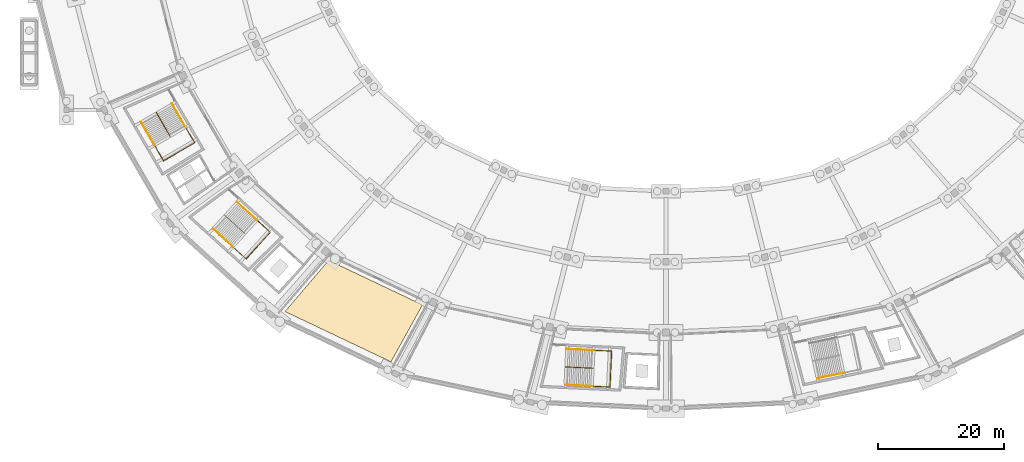
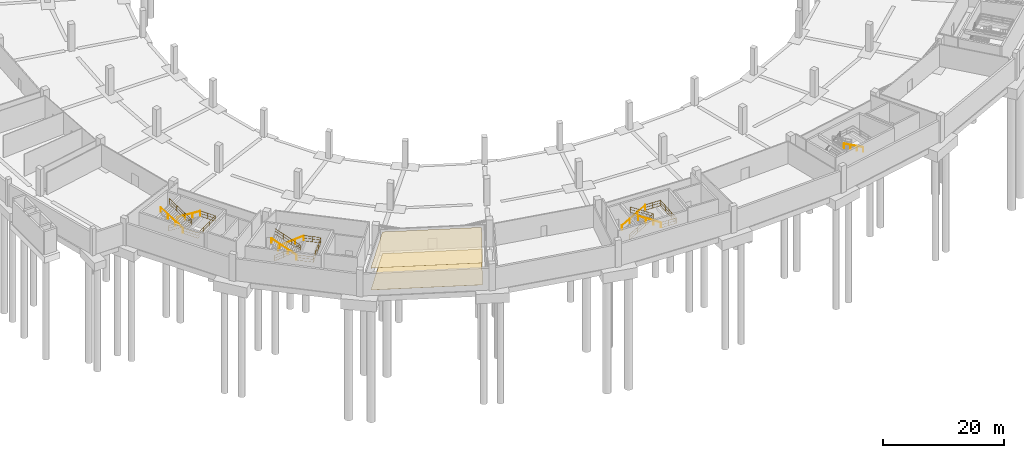
# One storey, part 43 of 49: 13 railings, 2 coverings.
"""IFC4 building model written with IfcOpenShell, lengths in metres."""

from ifc_helpers import new_model, si_unit, direction, frame, origin, origin_2d, place, context, subcontext, project, spatial, polyline, rectangle, outline, extrude, material, layer, layer_set, type_object, element, save


model = new_model("IFC4")

# Units and contexts
model_context = context("Model", 3, precision=1e-05, world=origin(), true_north=direction((0.0, 1.0)))
body_context = subcontext(model_context, "Body", "Model", "MODEL_VIEW")
ifc_project = project(units=[si_unit("LENGTHUNIT", "METRE"), si_unit("AREAUNIT", "SQUARE_METRE"), si_unit("VOLUMEUNIT", "CUBIC_METRE"), si_unit("PLANEANGLEUNIT", "RADIAN"), si_unit("MASSUNIT", "GRAM", prefix="KILO")], contexts=[model_context])

# Site, building, storey
site_placement = place(None, origin())
site = spatial("IfcSite", under=ifc_project, at=site_placement, CompositionType="ELEMENT")
building_placement = place(site_placement, origin())
building = spatial("IfcBuilding", under=site, at=building_placement, Name="Kazemori Nagisa Stadium", CompositionType="ELEMENT")
storey_placement = place(building_placement, frame((0.0, 0.0, -5.43994140625)))
storey = spatial("IfcBuildingStorey", under=building, at=storey_placement, Name="B1", CompositionType="ELEMENT", Elevation=-5.43994140625)

# Coverings
ifc_material_1 = material(Name="Mineral-fibre acoustic board", Category="gypsum")
ifc_layer_1 = layer(ifc_material_1, 0.02001953125, Name="Mineral-fibre acoustic board", Category="gypsum")
ifc_layer_set_1 = layer_set([ifc_layer_1], Name="Mineral-fibre acoustic board")
covering_type_1 = type_object("IfcCoveringType", Name="Cov_CEIL", PredefinedType="CEILING", material=ifc_layer_set_1)
covering_1_placement = place(storey_placement, frame((0.0, 0.0, 4.409912109375)))
element("IfcCovering", 1, at=covering_1_placement, inside=storey, type_object=covering_type_1, Name="Acoustic ceiling B1-B19", PredefinedType="CEILING", context=body_context, shape_type="SweptSolid", body=[
    extrude(outline(polyline([(69.622802734375, 39.46240234375), (84.466064453125, 32.4091796875), (79.47265625, 23.39111328125), (62.705810546875, 31.3583984375), (69.622802734375, 39.46240234375)])), origin(), (0.0, 0.0, 1.0), 0.02001953125),
])
ifc_material_2 = material(Name="Porcelain stoneware tile", Category="masonry")
ifc_layer_2 = layer(ifc_material_2, 0.02490234375, Name="Porcelain stoneware tile", Category="masonry")
ifc_layer_set_2 = layer_set([ifc_layer_2], Name="Porcelain stoneware tile")
covering_type_2 = type_object("IfcCoveringType", Name="Cov_FLOOR", PredefinedType="FLOORING", material=ifc_layer_set_2)
covering_2_placement = place(storey_placement, origin())
element("IfcCovering", 2, at=covering_2_placement, inside=storey, type_object=covering_type_2, Name="Porcelain floor finish B1-B19", PredefinedType="FLOORING", context=body_context, shape_type="SweptSolid", body=[
    extrude(outline(polyline([(69.622802734375, 39.46240234375), (84.466064453125, 32.4091796875), (79.47265625, 23.39111328125), (62.705810546875, 31.3583984375), (69.622802734375, 39.46240234375)])), origin(), (0.0, 0.0, 1.0), 0.02490234375),
])

# Railings
ifc_material_3 = material(Name="Galvanised powder-coated steel", Category="steel")
railing_type_1 = type_object("IfcRailingType", Name="Rail_GUARD", PredefinedType="GUARDRAIL", material=ifc_material_3)
railing_1_placement = place(storey_placement, frame((42.35302734375, 62.835693359375, 0.0)))
element("IfcRailing", 3, at=railing_1_placement, inside=storey, type_object=railing_type_1, Name="Stair central guard ST09-B1", PredefinedType="GUARDRAIL", context=body_context, shape_type="SweptSolid", body=[
    extrude(rectangle(XDim=0.050048828125, YDim=0.050048828125, at=origin_2d()), frame((0.0, 0.0, 1.09521484375), z_axis=(0.424604455669, -0.732330394732, 0.532356317872), x_axis=(0.865106633618, 0.501587990756, 0.0)), (0.0, 0.0, 1.0), 5.109375),
    extrude(rectangle(XDim=0.03759765625, YDim=0.03759765625, at=origin_2d()), frame((0.0, 0.0, 0.58251953125), z_axis=(0.424604455669, -0.732330394732, 0.532356317872), x_axis=(0.865106633618, 0.501587990756, 0.0)), (0.0, 0.0, 1.0), 5.109375),
    extrude(rectangle(XDim=0.03759765625, YDim=0.03759765625, at=origin_2d()), frame((0.0, 0.0, 0.02490234375), z_axis=(0.424604455669, -0.732330394732, 0.532356317872), x_axis=(0.865106633618, 0.501587990756, 0.0)), (0.0, 0.0, 1.0), 5.109375),
    extrude(rectangle(XDim=0.050048828125, YDim=0.050048828125, at=origin_2d()), frame((2.16943359375, -3.74169921875, 3.81494140625), z_axis=(-0.42235583137, 0.728396745639, 0.53949395979), x_axis=(-0.865090089266, -0.501616524304, 0.0)), (0.0, 0.0, 1.0), 5.041748046875),
    extrude(rectangle(XDim=0.03759765625, YDim=0.03759765625, at=origin_2d()), frame((2.16943359375, -3.74169921875, 3.302490234375), z_axis=(-0.42235583137, 0.728396745639, 0.53949395979), x_axis=(-0.865090089266, -0.501616524304, 0.0)), (0.0, 0.0, 1.0), 5.041748046875),
    extrude(rectangle(XDim=0.03759765625, YDim=0.03759765625, at=origin_2d()), frame((2.16943359375, -3.74169921875, 2.7451171875), z_axis=(-0.42235583137, 0.728396745639, 0.53949395979), x_axis=(-0.865090089266, -0.501616524304, 0.0)), (0.0, 0.0, 1.0), 5.041748046875),
    extrude(rectangle(XDim=0.044921875, YDim=0.044921875, at=origin_2d()), origin(), (0.0, 0.0, 1.0), 1.070068359375),
    extrude(rectangle(XDim=0.044921875, YDim=0.044921875, at=origin_2d()), frame((0.72314453125, -1.247314453125, 0.90673828125)), (0.0, 0.0, 1.0), 1.070068359375),
    extrude(rectangle(XDim=0.044921875, YDim=0.044921875, at=origin_2d()), frame((1.4462890625, -2.494384765625, 1.813232421875)), (0.0, 0.0, 1.0), 1.070068359375),
    extrude(rectangle(XDim=0.044921875, YDim=0.044921875, at=origin_2d()), frame((2.16943359375, -3.74169921875, 2.719970703125)), (0.0, 0.0, 1.0), 1.070068359375),
    extrude(rectangle(XDim=0.044921875, YDim=0.044921875, at=origin_2d()), frame((1.459716796875, -2.517578125, 3.626708984375)), (0.0, 0.0, 1.0), 1.070068359375),
    extrude(rectangle(XDim=0.044921875, YDim=0.044921875, at=origin_2d()), frame((0.749755859375, -1.29345703125, 4.533203125)), (0.0, 0.0, 1.0), 1.070068359375),
    extrude(rectangle(XDim=0.044921875, YDim=0.044921875, at=origin_2d()), frame((0.0400390625, -0.0693359375, 5.43994140625)), (0.0, 0.0, 1.0), 1.070068359375),
])
railing_2_placement = place(storey_placement, frame((46.988037109375, 60.523681640625, 2.719970703125)))
element("IfcRailing", 4, at=railing_2_placement, inside=storey, type_object=railing_type_1, Name="Stair landing guard ST09-B1", PredefinedType="GUARDRAIL", context=body_context, shape_type="SweptSolid", body=[
    extrude(rectangle(XDim=0.050048828125, YDim=0.050048828125, at=origin_2d()), frame((0.0, 0.0, 1.09521484375), z_axis=(0.501562958255, -0.865121146954, 0.0), x_axis=(0.865121146954, 0.501562958255, 0.0)), (0.0, 0.0, 1.0), 2.85009765625),
    extrude(rectangle(XDim=0.03759765625, YDim=0.03759765625, at=origin_2d()), frame((0.0, 0.0, 0.58251953125), z_axis=(0.501562958255, -0.865121146954, 0.0), x_axis=(0.865121146954, 0.501562958255, 0.0)), (0.0, 0.0, 1.0), 2.85009765625),
    extrude(rectangle(XDim=0.03759765625, YDim=0.03759765625, at=origin_2d()), frame((0.0, 0.0, 0.02490234375), z_axis=(0.501562958255, -0.865121146954, 0.0), x_axis=(0.865121146954, 0.501562958255, 0.0)), (0.0, 0.0, 1.0), 2.85009765625),
    extrude(rectangle(XDim=0.050048828125, YDim=0.050048828125, at=origin_2d()), frame((1.429443359375, -2.465576171875, 1.09521484375), z_axis=(-0.865091784601, -0.501613600508, 0.0), x_axis=(0.501613600508, -0.865091784601, 0.0)), (0.0, 0.0, 1.0), 5.699951171875),
    extrude(rectangle(XDim=0.03759765625, YDim=0.03759765625, at=origin_2d()), frame((1.429443359375, -2.465576171875, 0.58251953125), z_axis=(-0.865091784601, -0.501613600508, 0.0), x_axis=(0.501613600508, -0.865091784601, 0.0)), (0.0, 0.0, 1.0), 5.699951171875),
    extrude(rectangle(XDim=0.03759765625, YDim=0.03759765625, at=origin_2d()), frame((1.429443359375, -2.465576171875, 0.02490234375), z_axis=(-0.865091784601, -0.501613600508, 0.0), x_axis=(0.501613600508, -0.865091784601, 0.0)), (0.0, 0.0, 1.0), 5.699951171875),
    extrude(rectangle(XDim=0.050048828125, YDim=0.050048828125, at=origin_2d()), frame((-3.50146484375, -5.32470703125, 1.09521484375), z_axis=(-0.501627068055, 0.865083975458, 0.0), x_axis=(-0.865083975458, -0.501627068055, 0.0)), (0.0, 0.0, 1.0), 2.85009765625),
    extrude(rectangle(XDim=0.03759765625, YDim=0.03759765625, at=origin_2d()), frame((-3.50146484375, -5.32470703125, 0.58251953125), z_axis=(-0.501627068055, 0.865083975458, 0.0), x_axis=(-0.865083975458, -0.501627068055, 0.0)), (0.0, 0.0, 1.0), 2.85009765625),
    extrude(rectangle(XDim=0.03759765625, YDim=0.03759765625, at=origin_2d()), frame((-3.50146484375, -5.32470703125, 0.02490234375), z_axis=(-0.501627068055, 0.865083975458, 0.0), x_axis=(-0.865083975458, -0.501627068055, 0.0)), (0.0, 0.0, 1.0), 2.85009765625),
    extrude(rectangle(XDim=0.044921875, YDim=0.044921875, at=origin_2d()), origin(), (0.0, 0.0, 1.0), 1.070068359375),
    extrude(rectangle(XDim=0.044921875, YDim=0.044921875, at=origin_2d()), frame((0.71484375, -1.23291015625, 0.0)), (0.0, 0.0, 1.0), 1.070068359375),
    extrude(rectangle(XDim=0.044921875, YDim=0.044921875, at=origin_2d()), frame((1.429443359375, -2.465576171875, 0.0)), (0.0, 0.0, 1.0), 1.070068359375),
    extrude(rectangle(XDim=0.044921875, YDim=0.044921875, at=origin_2d()), frame((-0.214111328125, -3.418701171875, 0.0)), (0.0, 0.0, 1.0), 1.070068359375),
    extrude(rectangle(XDim=0.044921875, YDim=0.044921875, at=origin_2d()), frame((-1.85791015625, -4.37158203125, 0.0)), (0.0, 0.0, 1.0), 1.070068359375),
    extrude(rectangle(XDim=0.044921875, YDim=0.044921875, at=origin_2d()), frame((-3.50146484375, -5.32470703125, 0.0)), (0.0, 0.0, 1.0), 1.070068359375),
    extrude(rectangle(XDim=0.044921875, YDim=0.044921875, at=origin_2d()), frame((-4.21630859375, -4.091796875, 0.0)), (0.0, 0.0, 1.0), 1.070068359375),
    extrude(rectangle(XDim=0.044921875, YDim=0.044921875, at=origin_2d()), frame((-4.93115234375, -2.859130859375, 0.0)), (0.0, 0.0, 1.0), 1.070068359375),
])
railing_3_placement = place(storey_placement, frame((53.151611328125, 46.606689453125, 0.0)))
element("IfcRailing", 5, at=railing_3_placement, inside=storey, type_object=railing_type_1, Name="Stair central guard ST03-B1", PredefinedType="GUARDRAIL", context=body_context, shape_type="SweptSolid", body=[
    extrude(rectangle(XDim=0.050048828125, YDim=0.050048828125, at=origin_2d()), frame((0.0, 0.0, 1.09521484375), z_axis=(0.627557777508, -0.568113486393, 0.532370456043), x_axis=(0.67112318634, 0.741345849626, 0.0)), (0.0, 0.0, 1.0), 5.109130859375),
    extrude(rectangle(XDim=0.03759765625, YDim=0.03759765625, at=origin_2d()), frame((0.0, 0.0, 0.58251953125), z_axis=(0.627557777508, -0.568113486393, 0.532370456043), x_axis=(0.67112318634, 0.741345849626, 0.0)), (0.0, 0.0, 1.0), 5.109130859375),
    extrude(rectangle(XDim=0.03759765625, YDim=0.03759765625, at=origin_2d()), frame((0.0, 0.0, 0.02490234375), z_axis=(0.627557777508, -0.568113486393, 0.532370456043), x_axis=(0.67112318634, 0.741345849626, 0.0)), (0.0, 0.0, 1.0), 5.109130859375),
    extrude(rectangle(XDim=0.050048828125, YDim=0.050048828125, at=origin_2d()), frame((3.206298828125, -2.902587890625, 3.81494140625), z_axis=(-0.624200602078, 0.565073454279, 0.539504957933), x_axis=(-0.671122625547, -0.741346357298, 0.0)), (0.0, 0.0, 1.0), 5.04150390625),
    extrude(rectangle(XDim=0.03759765625, YDim=0.03759765625, at=origin_2d()), frame((3.206298828125, -2.902587890625, 3.302490234375), z_axis=(-0.624200602078, 0.565073454279, 0.539504957933), x_axis=(-0.671122625547, -0.741346357298, 0.0)), (0.0, 0.0, 1.0), 5.04150390625),
    extrude(rectangle(XDim=0.03759765625, YDim=0.03759765625, at=origin_2d()), frame((3.206298828125, -2.902587890625, 2.7451171875), z_axis=(-0.624200602078, 0.565073454279, 0.539504957933), x_axis=(-0.671122625547, -0.741346357298, 0.0)), (0.0, 0.0, 1.0), 5.04150390625),
    extrude(rectangle(XDim=0.044921875, YDim=0.044921875, at=origin_2d()), origin(), (0.0, 0.0, 1.0), 1.070068359375),
    extrude(rectangle(XDim=0.044921875, YDim=0.044921875, at=origin_2d()), frame((1.06884765625, -0.967529296875, 0.90673828125)), (0.0, 0.0, 1.0), 1.070068359375),
    extrude(rectangle(XDim=0.044921875, YDim=0.044921875, at=origin_2d()), frame((2.137451171875, -1.93505859375, 1.813232421875)), (0.0, 0.0, 1.0), 1.070068359375),
    extrude(rectangle(XDim=0.044921875, YDim=0.044921875, at=origin_2d()), frame((3.206298828125, -2.902587890625, 2.719970703125)), (0.0, 0.0, 1.0), 1.070068359375),
    extrude(rectangle(XDim=0.044921875, YDim=0.044921875, at=origin_2d()), frame((2.1572265625, -1.952880859375, 3.626708984375)), (0.0, 0.0, 1.0), 1.070068359375),
    extrude(rectangle(XDim=0.044921875, YDim=0.044921875, at=origin_2d()), frame((1.1083984375, -1.00341796875, 4.533203125)), (0.0, 0.0, 1.0), 1.070068359375),
    extrude(rectangle(XDim=0.044921875, YDim=0.044921875, at=origin_2d()), frame((0.059326171875, -0.0537109375, 5.43994140625)), (0.0, 0.0, 1.0), 1.070068359375),
])
railing_4_placement = place(storey_placement, frame((58.270751953125, 45.81689453125, 2.719970703125)))
element("IfcRailing", 6, at=railing_4_placement, inside=storey, type_object=railing_type_1, Name="Stair landing guard ST03-B1", PredefinedType="GUARDRAIL", context=body_context, shape_type="SweptSolid", body=[
    extrude(rectangle(XDim=0.050048828125, YDim=0.050048828125, at=origin_2d()), frame((0.0, 0.0, 1.09521484375), z_axis=(0.741314535645, -0.671157775223, 0.0), x_axis=(0.671157775223, 0.741314535645, 0.0)), (0.0, 0.0, 1.0), 2.85009765625),
    extrude(rectangle(XDim=0.03759765625, YDim=0.03759765625, at=origin_2d()), frame((0.0, 0.0, 0.58251953125), z_axis=(0.741314535645, -0.671157775223, 0.0), x_axis=(0.671157775223, 0.741314535645, 0.0)), (0.0, 0.0, 1.0), 2.85009765625),
    extrude(rectangle(XDim=0.03759765625, YDim=0.03759765625, at=origin_2d()), frame((0.0, 0.0, 0.02490234375), z_axis=(0.741314535645, -0.671157775223, 0.0), x_axis=(0.671157775223, 0.741314535645, 0.0)), (0.0, 0.0, 1.0), 2.85009765625),
    extrude(rectangle(XDim=0.050048828125, YDim=0.050048828125, at=origin_2d()), frame((2.11279296875, -1.912841796875, 1.09521484375), z_axis=(-0.67113423669, -0.74133584585, 0.0), x_axis=(0.74133584585, -0.67113423669, 0.0)), (0.0, 0.0, 1.0), 5.699951171875),
    extrude(rectangle(XDim=0.03759765625, YDim=0.03759765625, at=origin_2d()), frame((2.11279296875, -1.912841796875, 0.58251953125), z_axis=(-0.67113423669, -0.74133584585, 0.0), x_axis=(0.74133584585, -0.67113423669, 0.0)), (0.0, 0.0, 1.0), 5.699951171875),
    extrude(rectangle(XDim=0.03759765625, YDim=0.03759765625, at=origin_2d()), frame((2.11279296875, -1.912841796875, 0.02490234375), z_axis=(-0.67113423669, -0.74133584585, 0.0), x_axis=(0.74133584585, -0.67113423669, 0.0)), (0.0, 0.0, 1.0), 5.699951171875),
    extrude(rectangle(XDim=0.050048828125, YDim=0.050048828125, at=origin_2d()), frame((-1.712646484375, -6.138427734375, 1.09521484375), z_axis=(-0.741357156534, 0.671110696127, 0.0), x_axis=(-0.671110696127, -0.741357156534, 0.0)), (0.0, 0.0, 1.0), 2.849853515625),
    extrude(rectangle(XDim=0.03759765625, YDim=0.03759765625, at=origin_2d()), frame((-1.712646484375, -6.138427734375, 0.58251953125), z_axis=(-0.741357156534, 0.671110696127, 0.0), x_axis=(-0.671110696127, -0.741357156534, 0.0)), (0.0, 0.0, 1.0), 2.849853515625),
    extrude(rectangle(XDim=0.03759765625, YDim=0.03759765625, at=origin_2d()), frame((-1.712646484375, -6.138427734375, 0.02490234375), z_axis=(-0.741357156534, 0.671110696127, 0.0), x_axis=(-0.671110696127, -0.741357156534, 0.0)), (0.0, 0.0, 1.0), 2.849853515625),
    extrude(rectangle(XDim=0.044921875, YDim=0.044921875, at=origin_2d()), origin(), (0.0, 0.0, 1.0), 1.070068359375),
    extrude(rectangle(XDim=0.044921875, YDim=0.044921875, at=origin_2d()), frame((1.056396484375, -0.95654296875, 0.0)), (0.0, 0.0, 1.0), 1.070068359375),
    extrude(rectangle(XDim=0.044921875, YDim=0.044921875, at=origin_2d()), frame((2.11279296875, -1.912841796875, 0.0)), (0.0, 0.0, 1.0), 1.070068359375),
    extrude(rectangle(XDim=0.044921875, YDim=0.044921875, at=origin_2d()), frame((0.837646484375, -3.3212890625, 0.0)), (0.0, 0.0, 1.0), 1.070068359375),
    extrude(rectangle(XDim=0.044921875, YDim=0.044921875, at=origin_2d()), frame((-0.4375, -4.72998046875, 0.0)), (0.0, 0.0, 1.0), 1.070068359375),
    extrude(rectangle(XDim=0.044921875, YDim=0.044921875, at=origin_2d()), frame((-1.712646484375, -6.138427734375, 0.0)), (0.0, 0.0, 1.0), 1.070068359375),
    extrude(rectangle(XDim=0.044921875, YDim=0.044921875, at=origin_2d()), frame((-2.76904296875, -5.18212890625, 0.0)), (0.0, 0.0, 1.0), 1.070068359375),
    extrude(rectangle(XDim=0.044921875, YDim=0.044921875, at=origin_2d()), frame((-3.825439453125, -4.225830078125, 0.0)), (0.0, 0.0, 1.0), 1.070068359375),
])
railing_5_placement = place(storey_placement, frame((107.1103515625, 22.591796875, 0.0)))
element("IfcRailing", 7, at=railing_5_placement, inside=storey, type_object=railing_type_1, Name="Stair central guard ST12-B1", PredefinedType="GUARDRAIL", context=body_context, shape_type="SweptSolid", body=[
    extrude(rectangle(XDim=0.050048828125, YDim=0.050048828125, at=origin_2d()), frame((0.0, 0.0, 1.09521484375), z_axis=(0.845563705293, -0.039948644116, 0.532377803937), x_axis=(0.04719234507, 0.998885820586, 0.0)), (0.0, 0.0, 1.0), 5.109130859375),
    extrude(rectangle(XDim=0.03759765625, YDim=0.03759765625, at=origin_2d()), frame((0.0, 0.0, 0.58251953125), z_axis=(0.845563705293, -0.039948644116, 0.532377803937), x_axis=(0.04719234507, 0.998885820586, 0.0)), (0.0, 0.0, 1.0), 5.109130859375),
    extrude(rectangle(XDim=0.03759765625, YDim=0.03759765625, at=origin_2d()), frame((0.0, 0.0, 0.02490234375), z_axis=(0.845563705293, -0.039948644116, 0.532377803937), x_axis=(0.04719234507, 0.998885820586, 0.0)), (0.0, 0.0, 1.0), 5.109130859375),
    extrude(rectangle(XDim=0.050048828125, YDim=0.050048828125, at=origin_2d()), frame((4.320068359375, -0.2041015625, 3.81494140625), z_axis=(-0.841044817984, 0.039756897488, 0.539502551656), x_axis=(-0.047218117157, -0.99888460265, 0.0)), (0.0, 0.0, 1.0), 5.041748046875),
    extrude(rectangle(XDim=0.03759765625, YDim=0.03759765625, at=origin_2d()), frame((4.320068359375, -0.2041015625, 3.302490234375), z_axis=(-0.841044817984, 0.039756897488, 0.539502551656), x_axis=(-0.047218117157, -0.99888460265, 0.0)), (0.0, 0.0, 1.0), 5.041748046875),
    extrude(rectangle(XDim=0.03759765625, YDim=0.03759765625, at=origin_2d()), frame((4.320068359375, -0.2041015625, 2.7451171875), z_axis=(-0.841044817984, 0.039756897488, 0.539502551656), x_axis=(-0.047218117157, -0.99888460265, 0.0)), (0.0, 0.0, 1.0), 5.041748046875),
    extrude(rectangle(XDim=0.044921875, YDim=0.044921875, at=origin_2d()), origin(), (0.0, 0.0, 1.0), 1.070068359375),
    extrude(rectangle(XDim=0.044921875, YDim=0.044921875, at=origin_2d()), frame((1.43994140625, -0.068115234375, 0.90673828125)), (0.0, 0.0, 1.0), 1.070068359375),
    extrude(rectangle(XDim=0.044921875, YDim=0.044921875, at=origin_2d()), frame((2.880126953125, -0.135986328125, 1.813232421875)), (0.0, 0.0, 1.0), 1.070068359375),
    extrude(rectangle(XDim=0.044921875, YDim=0.044921875, at=origin_2d()), frame((4.320068359375, -0.2041015625, 2.719970703125)), (0.0, 0.0, 1.0), 1.070068359375),
    extrude(rectangle(XDim=0.044921875, YDim=0.044921875, at=origin_2d()), frame((2.90673828125, -0.13720703125, 3.626708984375)), (0.0, 0.0, 1.0), 1.070068359375),
    extrude(rectangle(XDim=0.044921875, YDim=0.044921875, at=origin_2d()), frame((1.4931640625, -0.070556640625, 4.533203125)), (0.0, 0.0, 1.0), 1.070068359375),
    extrude(rectangle(XDim=0.044921875, YDim=0.044921875, at=origin_2d()), frame((0.079833984375, -0.003662109375, 5.43994140625)), (0.0, 0.0, 1.0), 1.070068359375),
])
railing_6_placement = place(storey_placement, frame((111.56494140625, 25.234375, 2.719970703125)))
element("IfcRailing", 8, at=railing_6_placement, inside=storey, type_object=railing_type_1, Name="Stair landing guard ST12-B1", PredefinedType="GUARDRAIL", context=body_context, shape_type="SweptSolid", body=[
    extrude(rectangle(XDim=0.050048828125, YDim=0.050048828125, at=origin_2d()), frame((0.0, 0.0, 1.09521484375), z_axis=(0.998885512722, -0.047198860948, 0.0), x_axis=(0.047198860948, 0.998885512722, 0.0)), (0.0, 0.0, 1.0), 2.85009765625),
    extrude(rectangle(XDim=0.03759765625, YDim=0.03759765625, at=origin_2d()), frame((0.0, 0.0, 0.58251953125), z_axis=(0.998885512722, -0.047198860948, 0.0), x_axis=(0.047198860948, 0.998885512722, 0.0)), (0.0, 0.0, 1.0), 2.85009765625),
    extrude(rectangle(XDim=0.03759765625, YDim=0.03759765625, at=origin_2d()), frame((0.0, 0.0, 0.02490234375), z_axis=(0.998885512722, -0.047198860948, 0.0), x_axis=(0.047198860948, 0.998885512722, 0.0)), (0.0, 0.0, 1.0), 2.85009765625),
    extrude(rectangle(XDim=0.050048828125, YDim=0.050048828125, at=origin_2d()), frame((2.846923828125, -0.134521484375, 1.09521484375), z_axis=(-0.047243616775, -0.998883396936, 0.0), x_axis=(0.998883396936, -0.047243616775, 0.0)), (0.0, 0.0, 1.0), 5.699951171875),
    extrude(rectangle(XDim=0.03759765625, YDim=0.03759765625, at=origin_2d()), frame((2.846923828125, -0.134521484375, 0.58251953125), z_axis=(-0.047243616775, -0.998883396936, 0.0), x_axis=(0.998883396936, -0.047243616775, 0.0)), (0.0, 0.0, 1.0), 5.699951171875),
    extrude(rectangle(XDim=0.03759765625, YDim=0.03759765625, at=origin_2d()), frame((2.846923828125, -0.134521484375, 0.02490234375), z_axis=(-0.047243616775, -0.998883396936, 0.0), x_axis=(0.998883396936, -0.047243616775, 0.0)), (0.0, 0.0, 1.0), 5.699951171875),
    extrude(rectangle(XDim=0.050048828125, YDim=0.050048828125, at=origin_2d()), frame((2.57763671875, -5.828125, 1.09521484375), z_axis=(-0.998885321869, 0.047202899858, 0.0), x_axis=(-0.047202899858, -0.998885321869, 0.0)), (0.0, 0.0, 1.0), 2.849853515625),
    extrude(rectangle(XDim=0.03759765625, YDim=0.03759765625, at=origin_2d()), frame((2.57763671875, -5.828125, 0.58251953125), z_axis=(-0.998885321869, 0.047202899858, 0.0), x_axis=(-0.047202899858, -0.998885321869, 0.0)), (0.0, 0.0, 1.0), 2.849853515625),
    extrude(rectangle(XDim=0.03759765625, YDim=0.03759765625, at=origin_2d()), frame((2.57763671875, -5.828125, 0.02490234375), z_axis=(-0.998885321869, 0.047202899858, 0.0), x_axis=(-0.047202899858, -0.998885321869, 0.0)), (0.0, 0.0, 1.0), 2.849853515625),
    extrude(rectangle(XDim=0.044921875, YDim=0.044921875, at=origin_2d()), origin(), (0.0, 0.0, 1.0), 1.070068359375),
    extrude(rectangle(XDim=0.044921875, YDim=0.044921875, at=origin_2d()), frame((1.42333984375, -0.0673828125, 0.0)), (0.0, 0.0, 1.0), 1.070068359375),
    extrude(rectangle(XDim=0.044921875, YDim=0.044921875, at=origin_2d()), frame((2.846923828125, -0.134521484375, 0.0)), (0.0, 0.0, 1.0), 1.070068359375),
    extrude(rectangle(XDim=0.044921875, YDim=0.044921875, at=origin_2d()), frame((2.757080078125, -2.032470703125, 0.0)), (0.0, 0.0, 1.0), 1.070068359375),
    extrude(rectangle(XDim=0.044921875, YDim=0.044921875, at=origin_2d()), frame((2.66748046875, -3.93017578125, 0.0)), (0.0, 0.0, 1.0), 1.070068359375),
    extrude(rectangle(XDim=0.044921875, YDim=0.044921875, at=origin_2d()), frame((2.57763671875, -5.828125, 0.0)), (0.0, 0.0, 1.0), 1.070068359375),
    extrude(rectangle(XDim=0.044921875, YDim=0.044921875, at=origin_2d()), frame((1.154296875, -5.7607421875, 0.0)), (0.0, 0.0, 1.0), 1.070068359375),
    extrude(rectangle(XDim=0.044921875, YDim=0.044921875, at=origin_2d()), frame((-0.26904296875, -5.693603515625, 0.0)), (0.0, 0.0, 1.0), 1.070068359375),
])
ifc_material_4 = material(Name="Stainless steel SUS304", Category="steel")
railing_type_2 = type_object("IfcRailingType", Name="Rail_HAND", PredefinedType="HANDRAIL", material=ifc_material_4)
railing_7_placement = place(storey_placement, frame((44.818359375, 64.26513671875, 0.169921875)))
element("IfcRailing", 9, at=railing_7_placement, inside=storey, type_object=railing_type_2, Name="Stair handrail ST09-B1-F1", PredefinedType="HANDRAIL", context=body_context, shape_type="SweptSolid", body=[
    extrude(rectangle(XDim=0.050048828125, YDim=0.050048828125, at=origin_2d()), frame((0.0, 0.0, 0.875), z_axis=(0.424658482553, -0.732293377419, 0.53236414472), x_axis=(0.865067934841, 0.501654729979, 0.0)), (0.0, 0.0, 1.0), 5.109130859375),
    extrude(rectangle(XDim=0.044921875, YDim=0.044921875, at=origin_2d()), origin(), (0.0, 0.0, 1.0), 0.849853515625),
    extrude(rectangle(XDim=0.044921875, YDim=0.044921875, at=origin_2d()), frame((0.72314453125, -1.2470703125, 0.90673828125)), (0.0, 0.0, 1.0), 0.849853515625),
    extrude(rectangle(XDim=0.044921875, YDim=0.044921875, at=origin_2d()), frame((1.446533203125, -2.494384765625, 1.813232421875)), (0.0, 0.0, 1.0), 0.849853515625),
    extrude(rectangle(XDim=0.044921875, YDim=0.044921875, at=origin_2d()), frame((2.169677734375, -3.741455078125, 2.719970703125)), (0.0, 0.0, 1.0), 0.849853515625),
])
railing_8_placement = place(storey_placement, frame((42.056884765625, 57.66455078125, 2.889892578125)))
element("IfcRailing", 10, at=railing_8_placement, inside=storey, type_object=railing_type_2, Name="Stair handrail ST09-B1-F2", PredefinedType="HANDRAIL", context=body_context, shape_type="SweptSolid", body=[
    extrude(rectangle(XDim=0.050048828125, YDim=0.050048828125, at=origin_2d()), frame((0.0, 0.0, 0.875), z_axis=(-0.422370729009, 0.72837401227, 0.53951298921), x_axis=(-0.865075617156, -0.501641482138, 0.0)), (0.0, 0.0, 1.0), 5.04150390625),
    extrude(rectangle(XDim=0.044921875, YDim=0.044921875, at=origin_2d()), origin(), (0.0, 0.0, 1.0), 0.849853515625),
    extrude(rectangle(XDim=0.044921875, YDim=0.044921875, at=origin_2d()), frame((-0.709716796875, 1.22412109375, 0.90673828125)), (0.0, 0.0, 1.0), 0.849853515625),
    extrude(rectangle(XDim=0.044921875, YDim=0.044921875, at=origin_2d()), frame((-1.419677734375, 2.447998046875, 1.813232421875)), (0.0, 0.0, 1.0), 0.849853515625),
    extrude(rectangle(XDim=0.044921875, YDim=0.044921875, at=origin_2d()), frame((-2.12939453125, 3.672119140625, 2.719970703125)), (0.0, 0.0, 1.0), 0.849853515625),
])
railing_9_placement = place(storey_placement, frame((55.064208984375, 48.719482421875, 0.169921875)))
element("IfcRailing", 11, at=railing_9_placement, inside=storey, type_object=railing_type_2, Name="Stair handrail ST03-B1-F1", PredefinedType="HANDRAIL", context=body_context, shape_type="SweptSolid", body=[
    extrude(rectangle(XDim=0.050048828125, YDim=0.050048828125, at=origin_2d()), frame((0.0, 0.0, 0.875), z_axis=(0.627586741976, -0.568096450081, 0.532354491576), x_axis=(0.671095101672, 0.741371273056, 0.0)), (0.0, 0.0, 1.0), 5.109375),
    extrude(rectangle(XDim=0.044921875, YDim=0.044921875, at=origin_2d()), origin(), (0.0, 0.0, 1.0), 0.849853515625),
    extrude(rectangle(XDim=0.044921875, YDim=0.044921875, at=origin_2d()), frame((1.06884765625, -0.967529296875, 0.90673828125)), (0.0, 0.0, 1.0), 0.849853515625),
    extrude(rectangle(XDim=0.044921875, YDim=0.044921875, at=origin_2d()), frame((2.1376953125, -1.93505859375, 1.813232421875)), (0.0, 0.0, 1.0), 0.849853515625),
    extrude(rectangle(XDim=0.044921875, YDim=0.044921875, at=origin_2d()), frame((3.20654296875, -2.902587890625, 2.719970703125)), (0.0, 0.0, 1.0), 0.849853515625),
])
railing_10_placement = place(storey_placement, frame((54.4453125, 41.591064453125, 2.889892578125)))
element("IfcRailing", 12, at=railing_10_placement, inside=storey, type_object=railing_type_2, Name="Stair handrail ST03-B1-F2", PredefinedType="HANDRAIL", context=body_context, shape_type="SweptSolid", body=[
    extrude(rectangle(XDim=0.050048828125, YDim=0.050048828125, at=origin_2d()), frame((0.0, 0.0, 0.875), z_axis=(-0.624200602078, 0.565073454279, 0.539504957933), x_axis=(-0.671122625547, -0.741346357298, 0.0)), (0.0, 0.0, 1.0), 5.04150390625),
    extrude(rectangle(XDim=0.044921875, YDim=0.044921875, at=origin_2d()), origin(), (0.0, 0.0, 1.0), 0.849853515625),
    extrude(rectangle(XDim=0.044921875, YDim=0.044921875, at=origin_2d()), frame((-1.049072265625, 0.94970703125, 0.90673828125)), (0.0, 0.0, 1.0), 0.849853515625),
    extrude(rectangle(XDim=0.044921875, YDim=0.044921875, at=origin_2d()), frame((-2.097900390625, 1.899169921875, 1.813232421875)), (0.0, 0.0, 1.0), 0.849853515625),
    extrude(rectangle(XDim=0.044921875, YDim=0.044921875, at=origin_2d()), frame((-3.14697265625, 2.848876953125, 2.719970703125)), (0.0, 0.0, 1.0), 0.849853515625),
])
railing_11_placement = place(storey_placement, frame((107.244873046875, 25.438720703125, 0.169921875)))
element("IfcRailing", 13, at=railing_11_placement, inside=storey, type_object=railing_type_2, Name="Stair handrail ST12-B1-F1", PredefinedType="HANDRAIL", context=body_context, shape_type="SweptSolid", body=[
    extrude(rectangle(XDim=0.050048828125, YDim=0.050048828125, at=origin_2d()), frame((0.0, 0.0, 0.875), z_axis=(0.845562090181, -0.039996353178, 0.532376787042), x_axis=(0.047248669297, 0.998883157957, 0.0)), (0.0, 0.0, 1.0), 5.109130859375),
    extrude(rectangle(XDim=0.044921875, YDim=0.044921875, at=origin_2d()), origin(), (0.0, 0.0, 1.0), 0.849853515625),
    extrude(rectangle(XDim=0.044921875, YDim=0.044921875, at=origin_2d()), frame((1.43994140625, -0.068115234375, 0.90673828125)), (0.0, 0.0, 1.0), 0.849853515625),
    extrude(rectangle(XDim=0.044921875, YDim=0.044921875, at=origin_2d()), frame((2.880126953125, -0.13623046875, 1.813232421875)), (0.0, 0.0, 1.0), 0.849853515625),
    extrude(rectangle(XDim=0.044921875, YDim=0.044921875, at=origin_2d()), frame((4.320068359375, -0.204345703125, 2.719970703125)), (0.0, 0.0, 1.0), 0.849853515625),
])
railing_12_placement = place(storey_placement, frame((111.2958984375, 19.540771484375, 2.889892578125)))
element("IfcRailing", 14, at=railing_12_placement, inside=storey, type_object=railing_type_2, Name="Stair handrail ST12-B1-F2", PredefinedType="HANDRAIL", context=body_context, shape_type="SweptSolid", body=[
    extrude(rectangle(XDim=0.050048828125, YDim=0.050048828125, at=origin_2d()), frame((0.0, 0.0, 0.875), z_axis=(-0.841044817984, 0.039756897488, 0.539502551656), x_axis=(-0.047218117157, -0.99888460265, 0.0)), (0.0, 0.0, 1.0), 5.041748046875),
    extrude(rectangle(XDim=0.044921875, YDim=0.044921875, at=origin_2d()), origin(), (0.0, 0.0, 1.0), 0.849853515625),
    extrude(rectangle(XDim=0.044921875, YDim=0.044921875, at=origin_2d()), frame((-1.413330078125, 0.06689453125, 0.90673828125)), (0.0, 0.0, 1.0), 0.849853515625),
    extrude(rectangle(XDim=0.044921875, YDim=0.044921875, at=origin_2d()), frame((-2.826904296875, 0.133544921875, 1.813232421875)), (0.0, 0.0, 1.0), 0.849853515625),
    extrude(rectangle(XDim=0.044921875, YDim=0.044921875, at=origin_2d()), frame((-4.240234375, 0.200439453125, 2.719970703125)), (0.0, 0.0, 1.0), 0.849853515625),
])
railing_13_placement = place(storey_placement, frame((151.10986328125, 21.6552734375, 2.889892578125)))
element("IfcRailing", 15, at=railing_13_placement, inside=storey, type_object=railing_type_2, Name="Stair handrail ST06-B1-F2", PredefinedType="HANDRAIL", context=body_context, shape_type="SweptSolid", body=[
    extrude(rectangle(XDim=0.050048828125, YDim=0.050048828125, at=origin_2d()), frame((0.0, 0.0, 0.875), z_axis=(-0.823751834377, -0.174280339305, 0.539499099806), x_axis=(0.206987174116, -0.978343656264, 0.0)), (0.0, 0.0, 1.0), 5.041748046875),
    extrude(rectangle(XDim=0.044921875, YDim=0.044921875, at=origin_2d()), origin(), (0.0, 0.0, 1.0), 0.849853515625),
    extrude(rectangle(XDim=0.044921875, YDim=0.044921875, at=origin_2d()), frame((-1.38427734375, -0.29296875, 0.90673828125)), (0.0, 0.0, 1.0), 0.849853515625),
    extrude(rectangle(XDim=0.044921875, YDim=0.044921875, at=origin_2d()), frame((-2.768798828125, -0.585693359375, 1.813232421875)), (0.0, 0.0, 1.0), 0.849853515625),
    extrude(rectangle(XDim=0.044921875, YDim=0.044921875, at=origin_2d()), frame((-4.153076171875, -0.878662109375, 2.719970703125)), (0.0, 0.0, 1.0), 0.849853515625),
])

save(model, "model.ifc")
